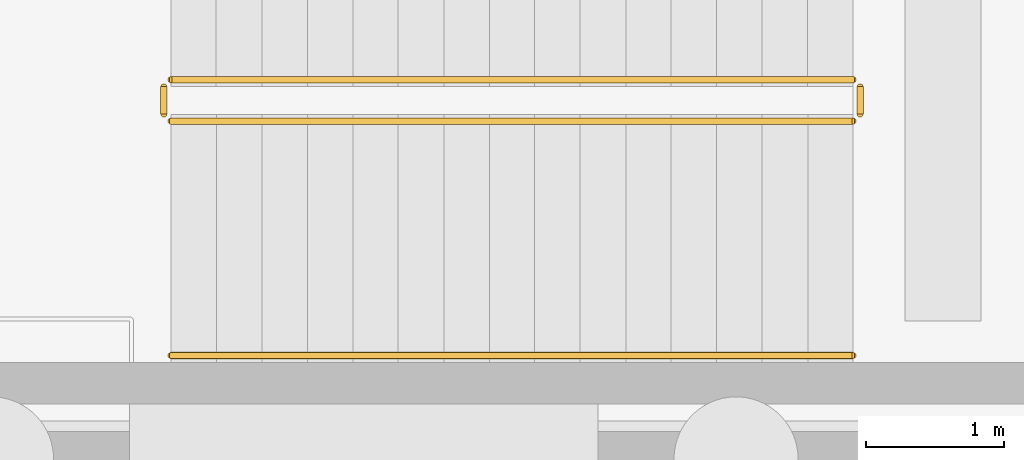
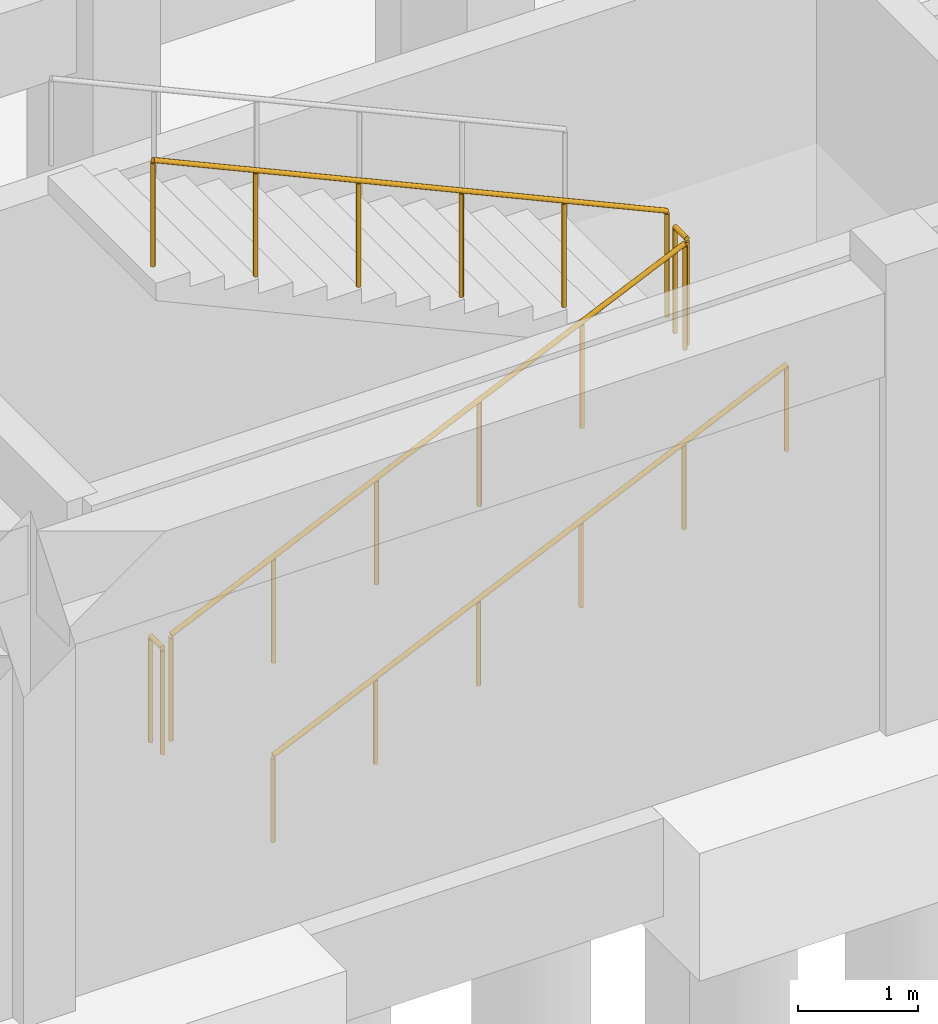
# One storey, part 78 of 80: 5 railings.
"""IFC4 building model written with IfcOpenShell, lengths in metres."""

from ifc_helpers import new_model, si_unit, direction, frame, origin, origin_2d, place, context, subcontext, project, spatial, circle, extrude, material, layer, layer_set, type_object, element, save


model = new_model("IFC4")

# Units and contexts
model_context = context("Model", 3, precision=1e-05, world=origin(), true_north=direction((0.0, 1.0)))
body_context = subcontext(model_context, "Body", "Model", "MODEL_VIEW")
ifc_project = project(units=[si_unit("LENGTHUNIT", "METRE"), si_unit("AREAUNIT", "SQUARE_METRE"), si_unit("VOLUMEUNIT", "CUBIC_METRE"), si_unit("PLANEANGLEUNIT", "RADIAN"), si_unit("MASSUNIT", "GRAM", prefix="KILO")], contexts=[model_context])

# Site, building, storey
site_placement = place(None, origin())
site = spatial("IfcSite", under=ifc_project, at=site_placement, CompositionType="ELEMENT")
building_placement = place(site_placement, origin())
building = spatial("IfcBuilding", under=site, at=building_placement, Name="Malvenik Polytechnic", CompositionType="ELEMENT")
storey_placement = place(building_placement, frame((0.0, 0.0, -4.800048828125)))
storey = spatial("IfcBuildingStorey", under=building, at=storey_placement, Name="B1", CompositionType="ELEMENT", Elevation=-4.800048828125)

# Railings
ifc_material_1 = material(Name="Painted galvanised steel stair well balustrade 1100mm", Category="steel")
ifc_layer_1 = layer(ifc_material_1, 0.050048828125)
ifc_layer_set_1 = layer_set([ifc_layer_1], Name="Painted galvanised steel stair well balustrade 1100mm")
railing_type_1 = type_object("IfcRailingType", Name="ARC-RL-STGD", PredefinedType="BALUSTRADE", material=ifc_layer_set_1)
railing_1_placement = place(storey_placement, frame((154.0, 31.25, 0.150146484375)))
element("IfcRailing", 1, at=railing_1_placement, inside=storey, type_object=railing_type_1, Name="B1 ST-13 stair guard 1", PredefinedType="BALUSTRADE", context=body_context, shape_type="SweptSolid", body=[
    extrude(circle(Radius=0.02392578125, at=origin_2d()), frame((0.0, 0.0, 1.076171875), z_axis=(0.910364939756, 0.0, 0.41380632724), x_axis=(0.0, 1.0, 0.0)), (0.0, 0.0, 1.0), 5.437255859375),
    extrude(circle(Radius=0.02099609375, at=origin_2d()), origin(), (0.0, 0.0, 1.0), 1.052001953125),
    extrude(circle(Radius=0.02099609375, at=origin_2d()), frame((0.989990234375, 0.0, 0.449951171875)), (0.0, 0.0, 1.0), 1.052001953125),
    extrude(circle(Radius=0.02099609375, at=origin_2d()), frame((1.97998046875, 0.0, 0.89990234375)), (0.0, 0.0, 1.0), 1.052001953125),
    extrude(circle(Radius=0.02099609375, at=origin_2d()), frame((2.969970703125, 0.0, 1.35009765625)), (0.0, 0.0, 1.0), 1.052001953125),
    extrude(circle(Radius=0.02099609375, at=origin_2d()), frame((3.9599609375, 0.0, 1.800048828125)), (0.0, 0.0, 1.0), 1.052001953125),
    extrude(circle(Radius=0.02099609375, at=origin_2d()), frame((4.949951171875, 0.0, 2.25)), (0.0, 0.0, 1.0), 1.052001953125),
])
railing_2_placement = place(storey_placement, frame((159.0, 31.300048828125, 2.400146484375)))
element("IfcRailing", 2, at=railing_2_placement, inside=storey, type_object=railing_type_1, Name="B1 ST-13 stair guard 2", PredefinedType="BALUSTRADE", context=body_context, shape_type="SweptSolid", body=[
    extrude(circle(Radius=0.02392578125, at=origin_2d()), frame((0.0, 0.0, 1.076171875), z_axis=(0.0, 1.0, 0.0), x_axis=(-1.0, 0.0, 0.0)), (0.0, 0.0, 1.0), 0.199951171875),
    extrude(circle(Radius=0.02099609375, at=origin_2d()), origin(), (0.0, 0.0, 1.0), 1.052001953125),
    extrude(circle(Radius=0.02099609375, at=origin_2d()), frame((0.0, 0.199951171875, 0.0)), (0.0, 0.0, 1.0), 1.052001953125),
])
railing_3_placement = place(storey_placement, frame((158.949951171875, 31.550048828125, 2.550048828125)))
element("IfcRailing", 3, at=railing_3_placement, inside=storey, type_object=railing_type_1, Name="B1 ST-13 stair guard 3", PredefinedType="BALUSTRADE", context=body_context, shape_type="SweptSolid", body=[
    extrude(circle(Radius=0.02392578125, at=origin_2d()), frame((0.0, 0.0, 1.076171875), z_axis=(-0.910364939756, 0.0, 0.41380632724), x_axis=(0.0, -1.0, 0.0)), (0.0, 0.0, 1.0), 5.437255859375),
    extrude(circle(Radius=0.02099609375, at=origin_2d()), origin(), (0.0, 0.0, 1.0), 1.052001953125),
    extrude(circle(Radius=0.02099609375, at=origin_2d()), frame((-0.989990234375, 0.0, 0.449951171875)), (0.0, 0.0, 1.0), 1.052001953125),
    extrude(circle(Radius=0.02099609375, at=origin_2d()), frame((-1.97998046875, 0.0, 0.89990234375)), (0.0, 0.0, 1.0), 1.052001953125),
    extrude(circle(Radius=0.02099609375, at=origin_2d()), frame((-2.969970703125, 0.0, 1.35009765625)), (0.0, 0.0, 1.0), 1.052001953125),
    extrude(circle(Radius=0.02099609375, at=origin_2d()), frame((-3.9599609375, 0.0, 1.800048828125)), (0.0, 0.0, 1.0), 1.052001953125),
    extrude(circle(Radius=0.02099609375, at=origin_2d()), frame((-4.949951171875, 0.0, 2.25)), (0.0, 0.0, 1.0), 1.052001953125),
])
railing_4_placement = place(storey_placement, frame((153.949951171875, 31.300048828125, 0.0)))
element("IfcRailing", 4, at=railing_4_placement, inside=storey, type_object=railing_type_1, Name="B1 ST-13 stair guard 4", PredefinedType="BALUSTRADE", context=body_context, shape_type="SweptSolid", body=[
    extrude(circle(Radius=0.02392578125, at=origin_2d()), frame((0.0, 0.0, 1.076171875), z_axis=(0.0, 1.0, 0.0), x_axis=(-1.0, 0.0, 0.0)), (0.0, 0.0, 1.0), 0.199951171875),
    extrude(circle(Radius=0.02099609375, at=origin_2d()), origin(), (0.0, 0.0, 1.0), 1.052001953125),
    extrude(circle(Radius=0.02099609375, at=origin_2d()), frame((0.0, 0.199951171875, 0.0)), (0.0, 0.0, 1.0), 1.052001953125),
])
ifc_material_2 = material(Name="Brushed stainless steel 1.4301 stair wall handrail", Category="steel")
ifc_layer_2 = layer(ifc_material_2, 0.044921875)
ifc_layer_set_2 = layer_set([ifc_layer_2], Name="Brushed stainless steel 1.4301 stair wall handrail")
railing_type_2 = type_object("IfcRailingType", Name="ARC-RL-STHR", PredefinedType="HANDRAIL", material=ifc_layer_set_2)
railing_5_placement = place(storey_placement, frame((154.0, 29.550048828125, 0.150146484375)))
element("IfcRailing", 5, at=railing_5_placement, inside=storey, type_object=railing_type_2, Name="B1 ST-13 stair handrail 1", PredefinedType="HANDRAIL", context=body_context, shape_type="SweptSolid", body=[
    extrude(circle(Radius=0.02392578125, at=origin_2d()), frame((0.0, 0.0, 0.8759765625), z_axis=(0.910364939756, 0.0, 0.41380632724), x_axis=(0.0, 1.0, 0.0)), (0.0, 0.0, 1.0), 5.437255859375),
    extrude(circle(Radius=0.02099609375, at=origin_2d()), origin(), (0.0, 0.0, 1.0), 0.851806640625),
    extrude(circle(Radius=0.02099609375, at=origin_2d()), frame((0.989990234375, 0.0, 0.449951171875)), (0.0, 0.0, 1.0), 0.851806640625),
    extrude(circle(Radius=0.02099609375, at=origin_2d()), frame((1.97998046875, 0.0, 0.89990234375)), (0.0, 0.0, 1.0), 0.851806640625),
    extrude(circle(Radius=0.02099609375, at=origin_2d()), frame((2.969970703125, 0.0, 1.35009765625)), (0.0, 0.0, 1.0), 0.851806640625),
    extrude(circle(Radius=0.02099609375, at=origin_2d()), frame((3.9599609375, 0.0, 1.800048828125)), (0.0, 0.0, 1.0), 0.851806640625),
    extrude(circle(Radius=0.02099609375, at=origin_2d()), frame((4.949951171875, 0.0, 2.25)), (0.0, 0.0, 1.0), 0.851806640625),
])

save(model, "model.ifc")
